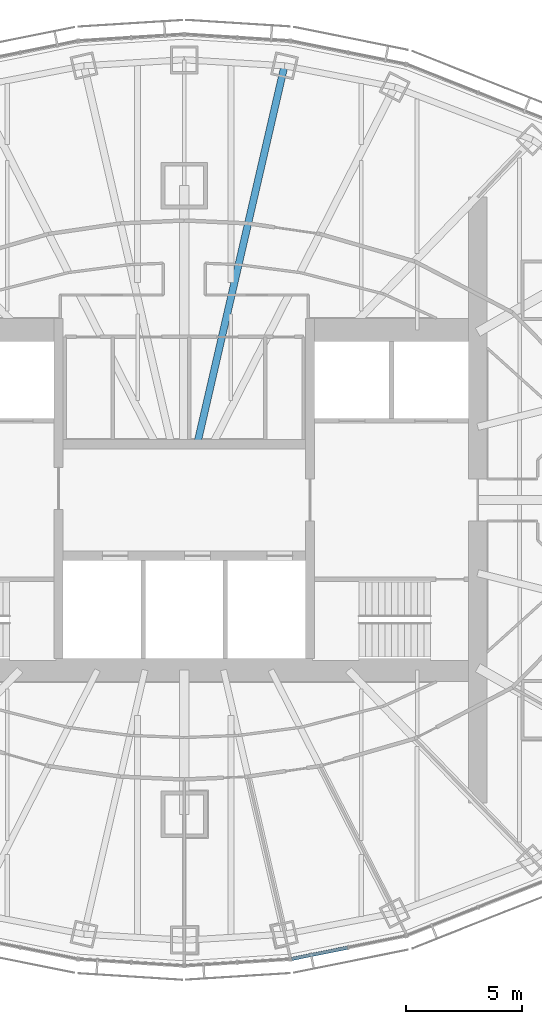
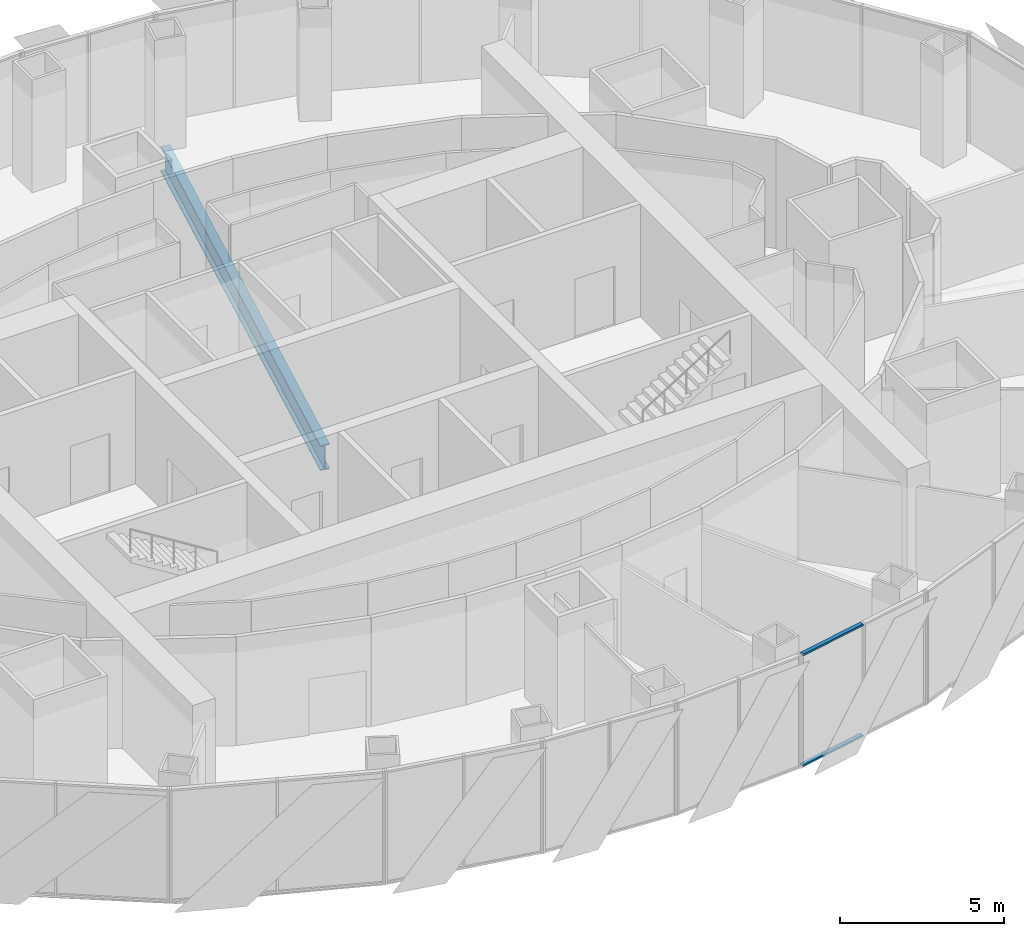
# One storey, part 5 of 17: 2 members, 1 beam, 1 element without a shape of its own.
"""IFC4 building model written with IfcOpenShell, lengths in metres."""

from ifc_helpers import new_model, si_unit, direction, frame, origin, origin_2d, place, context, subcontext, project, spatial, rectangle, i_section, extrude, material, material_profile, profile_set, type_object, element, aggregate, save


model = new_model("IFC4")

# Units and contexts
model_context = context("Model", 3, precision=1e-05, world=origin(), true_north=direction((0.0, 1.0)))
body_context = subcontext(model_context, "Body", "Model", "MODEL_VIEW")
ifc_project = project(units=[si_unit("LENGTHUNIT", "METRE"), si_unit("AREAUNIT", "SQUARE_METRE"), si_unit("VOLUMEUNIT", "CUBIC_METRE"), si_unit("PLANEANGLEUNIT", "RADIAN"), si_unit("MASSUNIT", "GRAM", prefix="KILO")], contexts=[model_context])

# Site, building, storey
site_placement = place(None, origin())
site = spatial("IfcSite", under=ifc_project, at=site_placement, CompositionType="ELEMENT")
building_placement = place(site_placement, origin())
building = spatial("IfcBuilding", under=site, at=building_placement, Name="Lantaw Convention Tower", CompositionType="ELEMENT")
storey_placement = place(building_placement, frame((0.0, 0.0, 215.800048828125)))
storey = spatial("IfcBuildingStorey", under=building, at=storey_placement, Name="L50", CompositionType="ELEMENT", Elevation=215.800048828125)

# Beam
ifc_material_1 = material(Name="Steel ASTM A992", Category="steel")
ifc_material_profile_1 = material_profile(ifc_material_1, i_section(OverallWidth=0.307373046875, OverallDepth=0.9423828125, WebThickness=0.022216796875, FlangeThickness=0.039794921875, FilletRadius=0.0126953125, at=origin_2d()), Name="W36X232")
ifc_profile_set_1 = profile_set([ifc_material_profile_1], Name="Steel ASTM A992")
beam_type = type_object("IfcBeamType", Name="Beam G W36X232", PredefinedType="BEAM", material=ifc_profile_set_1)
beam_placement = place(storey_placement, frame((0.55419921875, 2.39990234375, -0.621337890625), z_axis=(0.224948287002, 0.974370703672, 0.0), x_axis=(-0.974370703672, 0.224948287002, 0.0)))
element("IfcBeam", 1, at=beam_placement, inside=storey, type_object=beam_type, Name="Floor girder on ray 6", PredefinedType="BEAM", context=body_context, shape_type="SweptSolid", body=[
    extrude(i_section(OverallWidth=0.307373046875, OverallDepth=0.9423828125, WebThickness=0.022216796875, FlangeThickness=0.039794921875, FilletRadius=0.0126953125, at=origin_2d()), origin(), (0.0, 0.0, 1.0), 16.66943359375),
])

# Curtain wall, members
ifc_material_2 = material(Name="Aluminium framed curtain wall", Category="aluminium")
curtain_wall_type = type_object("IfcCurtainWallType", Name="Office curtain wall high rise, pale aluminium", PredefinedType="USERDEFINED", material=ifc_material_2)
curtain_wall_placement = place(storey_placement, origin())
curtain_wall = element("IfcCurtainWall", 2, at=curtain_wall_placement, inside=storey, type_object=curtain_wall_type, Name="Office curtain wall high rise, pale aluminium L50", ObjectType="UNITISED CURTAIN WALL", PredefinedType="USERDEFINED")
ifc_material_3 = material(Name="Aluminium 6063-T6", Category="aluminium")
ifc_material_profile_2 = material_profile(ifc_material_3, rectangle(XDim=0.14990234375, YDim=0.06494140625, at=origin_2d()), Name="CW-O2 transom 65x150")
ifc_profile_set_2 = profile_set([ifc_material_profile_2], Name="Aluminium 6063-T6")
member_type = type_object("IfcMemberType", Name="CW-O2 transom 65x150", PredefinedType="USERDEFINED", material=ifc_profile_set_2)
member_1_placement = place(storey_placement, frame((4.614990234375, -19.700927734375, -0.117431640625), z_axis=(0.980380354178, 0.197115096178, 0.0), x_axis=(-0.197115096178, 0.980380354178, 0.0)))
member_1 = element("IfcMember", 3, at=member_1_placement, type_object=member_type, Name="CW-O2 transom 1.1", ObjectType="TRANSOM", PredefinedType="USERDEFINED", context=body_context, shape_type="SweptSolid", body=[
    extrude(rectangle(XDim=0.14990234375, YDim=0.06494140625, at=origin_2d()), origin(), (0.0, 0.0, 1.0), 2.443603515625),
])
member_2_placement = place(storey_placement, frame((4.614990234375, -19.700927734375, 4.017333984375), z_axis=(0.980380354178, 0.197115096178, 0.0), x_axis=(-0.197115096178, 0.980380354178, 0.0)))
member_2 = element("IfcMember", 4, at=member_2_placement, type_object=member_type, Name="CW-O2 transom 1.2", ObjectType="TRANSOM", PredefinedType="USERDEFINED", context=body_context, shape_type="SweptSolid", body=[
    extrude(rectangle(XDim=0.14990234375, YDim=0.06494140625, at=origin_2d()), origin(), (0.0, 0.0, 1.0), 2.443603515625),
])
aggregate(curtain_wall, [member_1, member_2])

save(model, "model.ifc")
